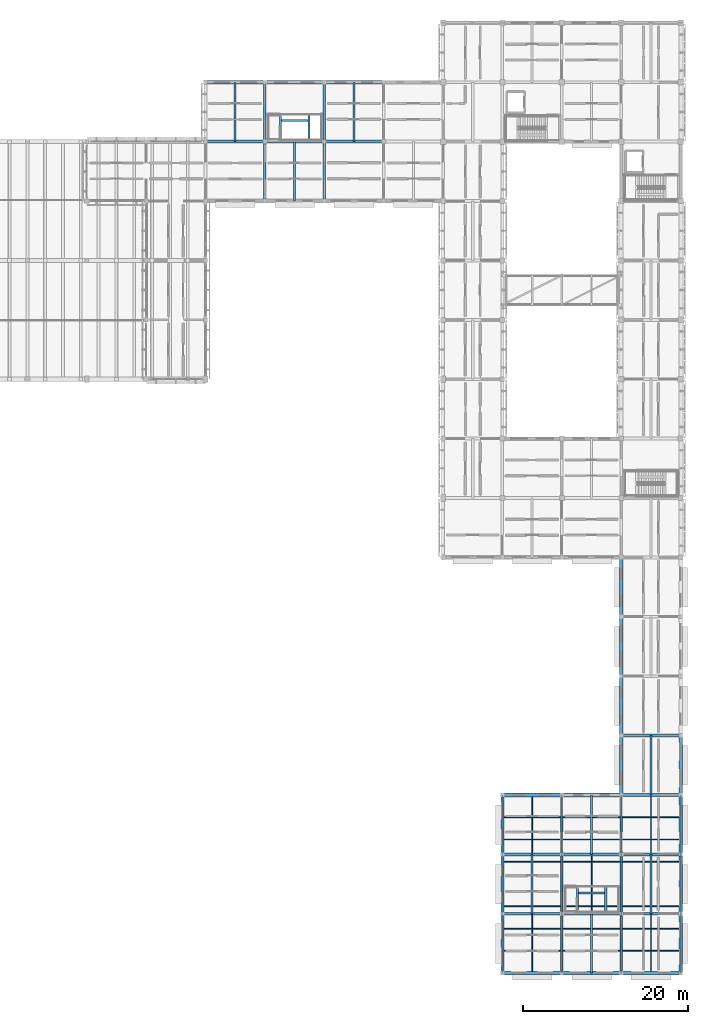
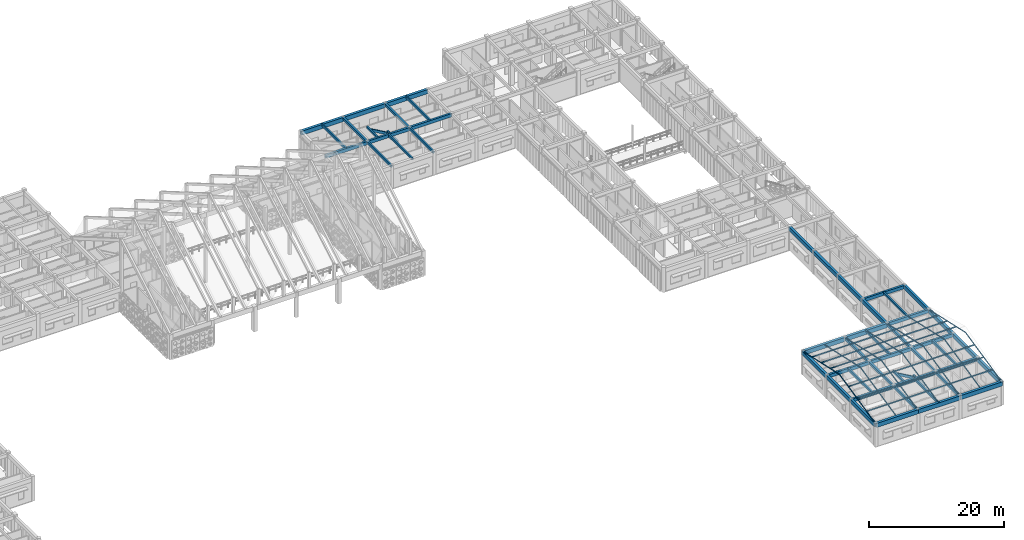
# One storey, part 63 of 171: 54 beams, 20 members.
"""IFC4 building model written with IfcOpenShell, lengths in metres."""

from ifc_helpers import new_model, si_unit, direction, frame, origin, origin_2d, place, context, subcontext, project, spatial, rectangle, hollow_rectangle, hollow_circle, extrude, material, material_profile, profile_set, type_object, element, save


model = new_model("IFC4")

# Units and contexts
model_context = context("Model", 3, precision=1e-05, world=origin(), true_north=direction((0.0, 1.0)))
body_context = subcontext(model_context, "Body", "Model", "MODEL_VIEW")
ifc_project = project(units=[si_unit("LENGTHUNIT", "METRE"), si_unit("AREAUNIT", "SQUARE_METRE"), si_unit("VOLUMEUNIT", "CUBIC_METRE"), si_unit("PLANEANGLEUNIT", "RADIAN"), si_unit("MASSUNIT", "GRAM", prefix="KILO")], contexts=[model_context])

# Site, building, storey
site_placement = place(None, origin())
site = spatial("IfcSite", under=ifc_project, at=site_placement, CompositionType="ELEMENT")
building_placement = place(site_placement, origin())
building = spatial("IfcBuilding", under=site, at=building_placement, Name="Aldebral Square Health Centre", CompositionType="ELEMENT")
storey_placement = place(building_placement, frame((0.0, 0.0, 4.5)))
storey = spatial("IfcBuildingStorey", under=building, at=storey_placement, Name="L01", CompositionType="ELEMENT", Elevation=4.5)

# Beams
ifc_material_1 = material(Name="Concrete C40/50", Category="concrete")
ifc_material_profile_1 = material_profile(ifc_material_1, rectangle(XDim=0.35009765625, YDim=0.60009765625, at=origin_2d()), Name="RC 350x600")
ifc_profile_set_1 = profile_set([ifc_material_profile_1], Name="Concrete C40/50")
beam_type_1 = type_object("IfcBeamType", Name="BM-B2", PredefinedType="BEAM", material=ifc_profile_set_1)
for number, where, z_axis, x_axis, name in (
    (1, (108.0, 100.800048828125, 3.919921875), (1.0, 0.0, 0.0), (0.0, 1.0, 0.0), "L01 X-beam 16-17/G15"),
    (2, (115.199951171875, 100.800048828125, 3.919921875), (1.0, 0.0, 0.0), (0.0, 1.0, 0.0), "L01 X-beam 17-18/G15"),
):
    element("IfcBeam", number, at=place(storey_placement, frame(where, z_axis=z_axis, x_axis=x_axis)), inside=storey, type_object=beam_type_1, Name=name, PredefinedType="BEAM", context=body_context, shape_type="SweptSolid", body=[
        extrude(rectangle(XDim=0.35009765625, YDim=0.60009765625, at=origin_2d()), origin(), (0.0, 0.0, 1.0), 7.199951171875),
    ])
beam_1_placement = place(storey_placement, frame((122.39990234375, 100.800048828125, 3.919921875), z_axis=(1.0, 0.0, 0.0), x_axis=(0.0, 1.0, 0.0)))
element("IfcBeam", 3, at=beam_1_placement, inside=storey, type_object=beam_type_1, Name="L01 X-beam 18-19/G15", PredefinedType="BEAM", context=body_context, shape_type="SweptSolid", body=[
    extrude(rectangle(XDim=0.35009765625, YDim=0.60009765625, at=origin_2d()), origin(), (0.0, 0.0, 1.0), 7.2001953125),
])
for number, where, z_axis, x_axis, name in (
    (4, (144.0, 7.199951171875, 3.919921875), (1.0, 0.0, 0.0), (0.0, 1.0, 0.0), "L01 X-beam 21-22/G2"),
    (5, (144.0, 14.39990234375, 3.919921875), (1.0, 0.0, 0.0), (0.0, 1.0, 0.0), "L01 X-beam 21-22/G3"),
    (6, (151.199951171875, 7.199951171875, 3.919921875), (1.0, 0.0, 0.0), (0.0, 1.0, 0.0), "L01 X-beam 22-23/G2"),
    (7, (151.199951171875, 14.39990234375, 3.919921875), (1.0, 0.0, 0.0), (0.0, 1.0, 0.0), "L01 X-beam 22-23/G3"),
):
    element("IfcBeam", number, at=place(storey_placement, frame(where, z_axis=z_axis, x_axis=x_axis)), inside=storey, type_object=beam_type_1, Name=name, PredefinedType="BEAM", context=body_context, shape_type="SweptSolid", body=[
        extrude(rectangle(XDim=0.35009765625, YDim=0.60009765625, at=origin_2d()), origin(), (0.0, 0.0, 1.0), 7.199951171875),
    ])
for number, where, z_axis, x_axis, name in (
    (8, (158.39990234375, 7.199951171875, 3.919921875), (1.0, 0.0, 0.0), (0.0, 1.0, 0.0), "L01 X-beam 23-24/G2"),
    (9, (158.39990234375, 14.39990234375, 3.919921875), (1.0, 0.0, 0.0), (0.0, 1.0, 0.0), "L01 X-beam 23-24/G3"),
    (10, (158.39990234375, 21.60009765625, 3.919921875), (1.0, 0.0, 0.0), (0.0, 1.0, 0.0), "L01 X-beam 23-24/G4"),
    (11, (158.39990234375, 28.800048828125, 3.919921875), (1.0, 0.0, 0.0), (0.0, 1.0, 0.0), "L01 X-beam 23-24/G5"),
):
    element("IfcBeam", number, at=place(storey_placement, frame(where, z_axis=z_axis, x_axis=x_axis)), inside=storey, type_object=beam_type_1, Name=name, PredefinedType="BEAM", context=body_context, shape_type="SweptSolid", body=[
        extrude(rectangle(XDim=0.35009765625, YDim=0.60009765625, at=origin_2d()), origin(), (0.0, 0.0, 1.0), 7.2001953125),
    ])
ifc_material_profile_2 = material_profile(ifc_material_1, rectangle(XDim=0.300048828125, YDim=0.449951171875, at=origin_2d()), Name="RC 300x450")
ifc_profile_set_2 = profile_set([ifc_material_profile_2], Name="Concrete C40/50")
beam_type_2 = type_object("IfcBeamType", Name="BM-B5", PredefinedType="BEAM", material=ifc_profile_set_2)
for number, where, z_axis, x_axis, name in (
    (12, (115.199951171875, 93.60009765625, 3.9951171875), (0.0, 1.0, 0.0), (-1.0, 0.0, 0.0), "L01 Y-beam G17/14-15"),
    (13, (115.199951171875, 100.800048828125, 3.9951171875), (0.0, 1.0, 0.0), (-1.0, 0.0, 0.0), "L01 Y-beam G17/15-16"),
    (14, (122.39990234375, 93.60009765625, 3.9951171875), (0.0, 1.0, 0.0), (-1.0, 0.0, 0.0), "L01 Y-beam G18/14-15"),
    (15, (122.39990234375, 100.800048828125, 3.9951171875), (0.0, 1.0, 0.0), (-1.0, 0.0, 0.0), "L01 Y-beam G18/15-16"),
    (16, (151.199951171875, 0.0, 3.9951171875), (0.0, 1.0, 0.0), (-1.0, 0.0, 0.0), "L01 Y-beam G22/1-2"),
    (17, (151.199951171875, 7.199951171875, 3.9951171875), (0.0, 1.0, 0.0), (-1.0, 0.0, 0.0), "L01 Y-beam G22/2-3"),
):
    element("IfcBeam", number, at=place(storey_placement, frame(where, z_axis=z_axis, x_axis=x_axis)), inside=storey, type_object=beam_type_2, Name=name, PredefinedType="BEAM", context=body_context, shape_type="SweptSolid", body=[
        extrude(rectangle(XDim=0.300048828125, YDim=0.449951171875, at=origin_2d()), origin(), (0.0, 0.0, 1.0), 7.199951171875),
    ])
beam_2_placement = place(storey_placement, frame((151.199951171875, 14.39990234375, 3.9951171875), z_axis=(0.0, 1.0, 0.0), x_axis=(-1.0, 0.0, 0.0)))
element("IfcBeam", 18, at=beam_2_placement, inside=storey, type_object=beam_type_2, Name="L01 Y-beam G22/3-4", PredefinedType="BEAM", context=body_context, shape_type="SweptSolid", body=[
    extrude(rectangle(XDim=0.300048828125, YDim=0.449951171875, at=origin_2d()), origin(), (0.0, 0.0, 1.0), 7.2001953125),
])
for number, where, z_axis, x_axis, name in (
    (19, (158.39990234375, 0.0, 3.9951171875), (0.0, 1.0, 0.0), (-1.0, 0.0, 0.0), "L01 Y-beam G23/1-2"),
    (20, (158.39990234375, 7.199951171875, 3.9951171875), (0.0, 1.0, 0.0), (-1.0, 0.0, 0.0), "L01 Y-beam G23/2-3"),
):
    element("IfcBeam", number, at=place(storey_placement, frame(where, z_axis=z_axis, x_axis=x_axis)), inside=storey, type_object=beam_type_2, Name=name, PredefinedType="BEAM", context=body_context, shape_type="SweptSolid", body=[
        extrude(rectangle(XDim=0.300048828125, YDim=0.449951171875, at=origin_2d()), origin(), (0.0, 0.0, 1.0), 7.199951171875),
    ])
beam_3_placement = place(storey_placement, frame((158.39990234375, 14.39990234375, 3.9951171875), z_axis=(0.0, 1.0, 0.0), x_axis=(-1.0, 0.0, 0.0)))
element("IfcBeam", 21, at=beam_3_placement, inside=storey, type_object=beam_type_2, Name="L01 Y-beam G23/3-4", PredefinedType="BEAM", context=body_context, shape_type="SweptSolid", body=[
    extrude(rectangle(XDim=0.300048828125, YDim=0.449951171875, at=origin_2d()), origin(), (0.0, 0.0, 1.0), 7.2001953125),
])
ifc_material_profile_3 = material_profile(ifc_material_1, rectangle(XDim=0.25, YDim=0.39990234375, at=origin_2d()), Name="RC 250x400")
ifc_profile_set_3 = profile_set([ifc_material_profile_3], Name="Concrete C40/50")
beam_type_3 = type_object("IfcBeamType", Name="BM-B6", PredefinedType="JOIST", material=ifc_profile_set_3)
for number, where, z_axis, x_axis, name in (
    (22, (111.60009765625, 100.800048828125, 4.02001953125), (0.0, 1.0, 0.0), (-1.0, 0.0, 0.0), "L01 secondary rib 16.15"),
    (23, (118.800048828125, 93.60009765625, 4.02001953125), (0.0, 1.0, 0.0), (-1.0, 0.0, 0.0), "L01 secondary rib 17.14"),
    (24, (126.0, 100.800048828125, 4.02001953125), (0.0, 1.0, 0.0), (-1.0, 0.0, 0.0), "L01 secondary rib 18.15"),
    (25, (147.60009765625, 7.199951171875, 4.02001953125), (0.0, 1.0, 0.0), (-1.0, 0.0, 0.0), "L01 secondary rib 21.2"),
    (26, (154.800048828125, 0.0, 4.02001953125), (0.0, 1.0, 0.0), (-1.0, 0.0, 0.0), "L01 secondary rib 22.1"),
):
    element("IfcBeam", number, at=place(storey_placement, frame(where, z_axis=z_axis, x_axis=x_axis)), inside=storey, type_object=beam_type_3, Name=name, PredefinedType="JOIST", context=body_context, shape_type="SweptSolid", body=[
        extrude(rectangle(XDim=0.25, YDim=0.39990234375, at=origin_2d()), origin(), (0.0, 0.0, 1.0), 7.199951171875),
    ])
beam_4_placement = place(storey_placement, frame((154.800048828125, 14.39990234375, 4.02001953125), z_axis=(0.0, 1.0, 0.0), x_axis=(-1.0, 0.0, 0.0)))
element("IfcBeam", 27, at=beam_4_placement, inside=storey, type_object=beam_type_3, Name="L01 secondary rib 22.3", PredefinedType="JOIST", context=body_context, shape_type="SweptSolid", body=[
    extrude(rectangle(XDim=0.25, YDim=0.39990234375, at=origin_2d()), origin(), (0.0, 0.0, 1.0), 7.2001953125),
])
for number, where, z_axis, x_axis, name in (
    (28, (162.0, 7.199951171875, 4.02001953125), (0.0, 1.0, 0.0), (-1.0, 0.0, 0.0), "L01 secondary rib 23.2"),
    (29, (162.0, 21.60009765625, 4.02001953125), (0.0, 1.0, 0.0), (-1.0, 0.0, 0.0), "L01 secondary rib 23.4"),
):
    element("IfcBeam", number, at=place(storey_placement, frame(where, z_axis=z_axis, x_axis=x_axis)), inside=storey, type_object=beam_type_3, Name=name, PredefinedType="JOIST", context=body_context, shape_type="SweptSolid", body=[
        extrude(rectangle(XDim=0.25, YDim=0.39990234375, at=origin_2d()), origin(), (0.0, 0.0, 1.0), 7.199951171875),
    ])
for number, where, z_axis, x_axis, name in (
    (30, (156.52001953125, 7.330078125, 2.050048828125), (0.0, 1.0, 0.0), (-1.0, 0.0, 0.0), "L01 WS-S8 half-landing beam"),
    (31, (153.080078125, 7.330078125, 4.02001953125), (0.0, 1.0, 0.0), (-1.0, 0.0, 0.0), "L01 WS-S8 upper landing beam"),
):
    element("IfcBeam", number, at=place(storey_placement, frame(where, z_axis=z_axis, x_axis=x_axis)), inside=storey, type_object=beam_type_3, Name=name, PredefinedType="JOIST", context=body_context, shape_type="SweptSolid", body=[
        extrude(rectangle(XDim=0.25, YDim=0.39990234375, at=origin_2d()), origin(), (0.0, 0.0, 1.0), 3.219970703125),
    ])
beam_5_placement = place(storey_placement, frame((156.52001953125, 9.739990234375, 2.050048828125), z_axis=(-0.867776584178, 0.0, 0.496954525034), x_axis=(0.0, -1.0, 0.0)))
element("IfcBeam", 32, at=beam_5_placement, inside=storey, type_object=beam_type_3, Name="L01 WS-S8 flight stringer beam", PredefinedType="JOIST", context=body_context, shape_type="SweptSolid", body=[
    extrude(rectangle(XDim=0.25, YDim=0.39990234375, at=origin_2d()), origin(), (0.0, 0.0, 1.0), 3.964111328125),
])
for number, where, z_axis, x_axis, name in (
    (33, (120.52001953125, 100.929931640625, 2.050048828125), (0.0, 1.0, 0.0), (-1.0, 0.0, 0.0), "L01 WS-S10 half-landing beam"),
    (34, (117.080078125, 100.929931640625, 4.02001953125), (0.0, 1.0, 0.0), (-1.0, 0.0, 0.0), "L01 WS-S10 upper landing beam"),
):
    element("IfcBeam", number, at=place(storey_placement, frame(where, z_axis=z_axis, x_axis=x_axis)), inside=storey, type_object=beam_type_3, Name=name, PredefinedType="JOIST", context=body_context, shape_type="SweptSolid", body=[
        extrude(rectangle(XDim=0.25, YDim=0.39990234375, at=origin_2d()), origin(), (0.0, 0.0, 1.0), 3.219970703125),
    ])
beam_6_placement = place(storey_placement, frame((120.52001953125, 103.340087890625, 2.050048828125), z_axis=(-0.867776584178, 0.0, 0.496954525034), x_axis=(0.0, -1.0, 0.0)))
element("IfcBeam", 35, at=beam_6_placement, inside=storey, type_object=beam_type_3, Name="L01 WS-S10 flight stringer beam", PredefinedType="JOIST", context=body_context, shape_type="SweptSolid", body=[
    extrude(rectangle(XDim=0.25, YDim=0.39990234375, at=origin_2d()), origin(), (0.0, 0.0, 1.0), 3.964111328125),
])
ifc_material_profile_4 = material_profile(ifc_material_1, rectangle(XDim=0.449951171875, YDim=0.75, at=origin_2d()), Name="RC 450x750")
ifc_profile_set_4 = profile_set([ifc_material_profile_4], Name="Concrete C40/50")
beam_type_4 = type_object("IfcBeamType", Name="BM-G2", PredefinedType="T_BEAM", material=ifc_profile_set_4)
for number, where, z_axis, x_axis, name in (
    (36, (108.0, 108.0, 3.844970703125), (1.0, 0.0, 0.0), (0.0, 1.0, 0.0), "L01 X-beam 16-17/G16"),
    (37, (115.199951171875, 108.0, 3.844970703125), (1.0, 0.0, 0.0), (0.0, 1.0, 0.0), "L01 X-beam 17-18/G16"),
):
    element("IfcBeam", number, at=place(storey_placement, frame(where, z_axis=z_axis, x_axis=x_axis)), inside=storey, type_object=beam_type_4, Name=name, PredefinedType="T_BEAM", context=body_context, shape_type="SweptSolid", body=[
        extrude(rectangle(XDim=0.449951171875, YDim=0.75, at=origin_2d()), origin(), (0.0, 0.0, 1.0), 7.199951171875),
    ])
beam_7_placement = place(storey_placement, frame((122.39990234375, 108.0, 3.844970703125), z_axis=(1.0, 0.0, 0.0), x_axis=(0.0, 1.0, 0.0)))
element("IfcBeam", 38, at=beam_7_placement, inside=storey, type_object=beam_type_4, Name="L01 X-beam 18-19/G16", PredefinedType="T_BEAM", context=body_context, shape_type="SweptSolid", body=[
    extrude(rectangle(XDim=0.449951171875, YDim=0.75, at=origin_2d()), origin(), (0.0, 0.0, 1.0), 7.2001953125),
])
for number, where, z_axis, x_axis, name in (
    (39, (144.0, 0.0, 3.844970703125), (1.0, 0.0, 0.0), (0.0, 1.0, 0.0), "L01 X-beam 21-22/G1"),
    (40, (144.0, 21.60009765625, 3.844970703125), (1.0, 0.0, 0.0), (0.0, 1.0, 0.0), "L01 X-beam 21-22/G4"),
    (41, (151.199951171875, 0.0, 3.844970703125), (1.0, 0.0, 0.0), (0.0, 1.0, 0.0), "L01 X-beam 22-23/G1"),
    (42, (151.199951171875, 21.60009765625, 3.844970703125), (1.0, 0.0, 0.0), (0.0, 1.0, 0.0), "L01 X-beam 22-23/G4"),
):
    element("IfcBeam", number, at=place(storey_placement, frame(where, z_axis=z_axis, x_axis=x_axis)), inside=storey, type_object=beam_type_4, Name=name, PredefinedType="T_BEAM", context=body_context, shape_type="SweptSolid", body=[
        extrude(rectangle(XDim=0.449951171875, YDim=0.75, at=origin_2d()), origin(), (0.0, 0.0, 1.0), 7.199951171875),
    ])
beam_8_placement = place(storey_placement, frame((158.39990234375, 0.0, 3.844970703125), z_axis=(1.0, 0.0, 0.0), x_axis=(0.0, 1.0, 0.0)))
element("IfcBeam", 43, at=beam_8_placement, inside=storey, type_object=beam_type_4, Name="L01 X-beam 23-24/G1", PredefinedType="T_BEAM", context=body_context, shape_type="SweptSolid", body=[
    extrude(rectangle(XDim=0.449951171875, YDim=0.75, at=origin_2d()), origin(), (0.0, 0.0, 1.0), 7.2001953125),
])
ifc_material_profile_5 = material_profile(ifc_material_1, rectangle(XDim=0.39990234375, YDim=0.699951171875, at=origin_2d()), Name="RC 400x700")
ifc_profile_set_5 = profile_set([ifc_material_profile_5], Name="Concrete C40/50")
beam_type_5 = type_object("IfcBeamType", Name="BM-G3", PredefinedType="T_BEAM", material=ifc_profile_set_5)
for number, where, z_axis, x_axis, name in (
    (44, (144.0, 0.0, 3.8701171875), (0.0, 1.0, 0.0), (-1.0, 0.0, 0.0), "L01 Y-beam G21/1-2"),
    (45, (144.0, 7.199951171875, 3.8701171875), (0.0, 1.0, 0.0), (-1.0, 0.0, 0.0), "L01 Y-beam G21/2-3"),
):
    element("IfcBeam", number, at=place(storey_placement, frame(where, z_axis=z_axis, x_axis=x_axis)), inside=storey, type_object=beam_type_5, Name=name, PredefinedType="T_BEAM", context=body_context, shape_type="SweptSolid", body=[
        extrude(rectangle(XDim=0.39990234375, YDim=0.699951171875, at=origin_2d()), origin(), (0.0, 0.0, 1.0), 7.199951171875),
    ])
beam_9_placement = place(storey_placement, frame((144.0, 14.39990234375, 3.8701171875), z_axis=(0.0, 1.0, 0.0), x_axis=(-1.0, 0.0, 0.0)))
element("IfcBeam", 46, at=beam_9_placement, inside=storey, type_object=beam_type_5, Name="L01 Y-beam G21/3-4", PredefinedType="T_BEAM", context=body_context, shape_type="SweptSolid", body=[
    extrude(rectangle(XDim=0.39990234375, YDim=0.699951171875, at=origin_2d()), origin(), (0.0, 0.0, 1.0), 7.2001953125),
])
for number, where, z_axis, x_axis, name in (
    (47, (158.39990234375, 21.60009765625, 3.8701171875), (0.0, 1.0, 0.0), (-1.0, 0.0, 0.0), "L01 Y-beam G23/4-5"),
    (48, (158.39990234375, 28.800048828125, 3.8701171875), (0.0, 1.0, 0.0), (-1.0, 0.0, 0.0), "L01 Y-beam G23/5-6"),
    (49, (158.39990234375, 36.0, 3.8701171875), (0.0, 1.0, 0.0), (-1.0, 0.0, 0.0), "L01 Y-beam G23/6-7"),
    (50, (158.39990234375, 43.199951171875, 3.8701171875), (0.0, 1.0, 0.0), (-1.0, 0.0, 0.0), "L01 Y-beam G23/7-8"),
    (51, (165.60009765625, 0.0, 3.8701171875), (0.0, 1.0, 0.0), (-1.0, 0.0, 0.0), "L01 Y-beam G24/1-2"),
    (52, (165.60009765625, 7.199951171875, 3.8701171875), (0.0, 1.0, 0.0), (-1.0, 0.0, 0.0), "L01 Y-beam G24/2-3"),
):
    element("IfcBeam", number, at=place(storey_placement, frame(where, z_axis=z_axis, x_axis=x_axis)), inside=storey, type_object=beam_type_5, Name=name, PredefinedType="T_BEAM", context=body_context, shape_type="SweptSolid", body=[
        extrude(rectangle(XDim=0.39990234375, YDim=0.699951171875, at=origin_2d()), origin(), (0.0, 0.0, 1.0), 7.199951171875),
    ])
beam_10_placement = place(storey_placement, frame((165.60009765625, 14.39990234375, 3.8701171875), z_axis=(0.0, 1.0, 0.0), x_axis=(-1.0, 0.0, 0.0)))
element("IfcBeam", 53, at=beam_10_placement, inside=storey, type_object=beam_type_5, Name="L01 Y-beam G24/3-4", PredefinedType="T_BEAM", context=body_context, shape_type="SweptSolid", body=[
    extrude(rectangle(XDim=0.39990234375, YDim=0.699951171875, at=origin_2d()), origin(), (0.0, 0.0, 1.0), 7.2001953125),
])
beam_11_placement = place(storey_placement, frame((165.60009765625, 21.60009765625, 3.8701171875), z_axis=(0.0, 1.0, 0.0), x_axis=(-1.0, 0.0, 0.0)))
element("IfcBeam", 54, at=beam_11_placement, inside=storey, type_object=beam_type_5, Name="L01 Y-beam G24/4-5", PredefinedType="T_BEAM", context=body_context, shape_type="SweptSolid", body=[
    extrude(rectangle(XDim=0.39990234375, YDim=0.699951171875, at=origin_2d()), origin(), (0.0, 0.0, 1.0), 7.199951171875),
])

# Members
ifc_material_2 = material(Name="Steel S355JR", Category="steel")
ifc_material_profile_6 = material_profile(ifc_material_2, hollow_rectangle(XDim=0.10009765625, YDim=0.199951171875, WallThickness=0.008056640625, at=origin_2d()), Name="200x100x8 RHS")
ifc_profile_set_6 = profile_set([ifc_material_profile_6], Name="Steel S355JR")
member_type_1 = type_object("IfcMemberType", Name="MEM-PR1", PredefinedType="PURLIN", material=ifc_profile_set_6)
for number, where, z_axis, x_axis, name in (
    (55, (144.0, 2.699951171875, 4.669921875), (1.0, 0.0, 0.0), (0.0, 1.0, 0.0), "V3 pavilion purlin S1"),
    (56, (144.0, 18.89990234375, 4.669921875), (1.0, 0.0, 0.0), (0.0, 1.0, 0.0), "V3 pavilion purlin N1"),
    (57, (144.0, 5.39990234375, 5.27001953125), (1.0, 0.0, 0.0), (0.0, 1.0, 0.0), "V3 pavilion purlin S2"),
    (58, (144.0, 16.199951171875, 5.27001953125), (1.0, 0.0, 0.0), (0.0, 1.0, 0.0), "V3 pavilion purlin N2"),
    (59, (144.0, 8.10009765625, 5.8701171875), (1.0, 0.0, 0.0), (0.0, 1.0, 0.0), "V3 pavilion purlin S3"),
    (60, (144.0, 13.5, 5.8701171875), (1.0, 0.0, 0.0), (0.0, 1.0, 0.0), "V3 pavilion purlin N3"),
):
    element("IfcMember", number, at=place(storey_placement, frame(where, z_axis=z_axis, x_axis=x_axis)), inside=storey, type_object=member_type_1, Name=name, PredefinedType="PURLIN", context=body_context, shape_type="SweptSolid", body=[
        extrude(hollow_rectangle(XDim=0.10009765625, YDim=0.199951171875, WallThickness=0.008056640625, at=origin_2d()), origin(), (0.0, 0.0, 1.0), 21.60009765625),
    ])
ifc_material_profile_7 = material_profile(ifc_material_2, hollow_circle(Radius=0.084228515625, WallThickness=0.008056640625, at=origin_2d()), Name="168.3x8.0 CHS")
ifc_profile_set_7 = profile_set([ifc_material_profile_7], Name="Steel S355JR")
member_type_2 = type_object("IfcMemberType", Name="MEM-RF1", PredefinedType="RAFTER", material=ifc_profile_set_7)
for number, where, z_axis, x_axis, name in (
    (61, (144.0, 0.0, 4.070068359375), (0.0, 0.976189137057, 0.216921111677), (-1.0, 0.0, 0.0), "V3 pavilion south rafter 1"),
    (62, (144.0, 21.60009765625, 4.070068359375), (0.0, -0.976189137057, 0.216921111677), (1.0, 0.0, 0.0), "V3 pavilion north rafter 1"),
    (63, (147.60009765625, 0.0, 4.070068359375), (0.0, 0.976189137057, 0.216921111677), (-1.0, 0.0, 0.0), "V3 pavilion south rafter 2"),
    (64, (147.60009765625, 21.60009765625, 4.070068359375), (0.0, -0.976189137057, 0.216921111677), (1.0, 0.0, 0.0), "V3 pavilion north rafter 2"),
    (65, (151.199951171875, 0.0, 4.070068359375), (0.0, 0.976189137057, 0.216921111677), (-1.0, 0.0, 0.0), "V3 pavilion south rafter 3"),
    (66, (151.199951171875, 21.60009765625, 4.070068359375), (0.0, -0.976189137057, 0.216921111677), (1.0, 0.0, 0.0), "V3 pavilion north rafter 3"),
    (67, (154.800048828125, 0.0, 4.070068359375), (0.0, 0.976189137057, 0.216921111677), (-1.0, 0.0, 0.0), "V3 pavilion south rafter 4"),
    (68, (154.800048828125, 21.60009765625, 4.070068359375), (0.0, -0.976189137057, 0.216921111677), (1.0, 0.0, 0.0), "V3 pavilion north rafter 4"),
    (69, (158.39990234375, 0.0, 4.070068359375), (0.0, 0.976189137057, 0.216921111677), (-1.0, 0.0, 0.0), "V3 pavilion south rafter 5"),
    (70, (158.39990234375, 21.60009765625, 4.070068359375), (0.0, -0.976189137057, 0.216921111677), (1.0, 0.0, 0.0), "V3 pavilion north rafter 5"),
    (71, (162.0, 0.0, 4.070068359375), (0.0, 0.976189137057, 0.216921111677), (-1.0, 0.0, 0.0), "V3 pavilion south rafter 6"),
    (72, (162.0, 21.60009765625, 4.070068359375), (0.0, -0.976189137057, 0.216921111677), (1.0, 0.0, 0.0), "V3 pavilion north rafter 6"),
    (73, (165.60009765625, 0.0, 4.070068359375), (0.0, 0.976189137057, 0.216921111677), (-1.0, 0.0, 0.0), "V3 pavilion south rafter 7"),
    (74, (165.60009765625, 21.60009765625, 4.070068359375), (0.0, -0.976189137057, 0.216921111677), (1.0, 0.0, 0.0), "V3 pavilion north rafter 7"),
):
    element("IfcMember", number, at=place(storey_placement, frame(where, z_axis=z_axis, x_axis=x_axis)), inside=storey, type_object=member_type_2, Name=name, PredefinedType="RAFTER", context=body_context, shape_type="SweptSolid", body=[
        extrude(hollow_circle(Radius=0.084228515625, WallThickness=0.008056640625, at=origin_2d()), origin(), (0.0, 0.0, 1.0), 11.0634765625),
    ])

save(model, "model.ifc")
